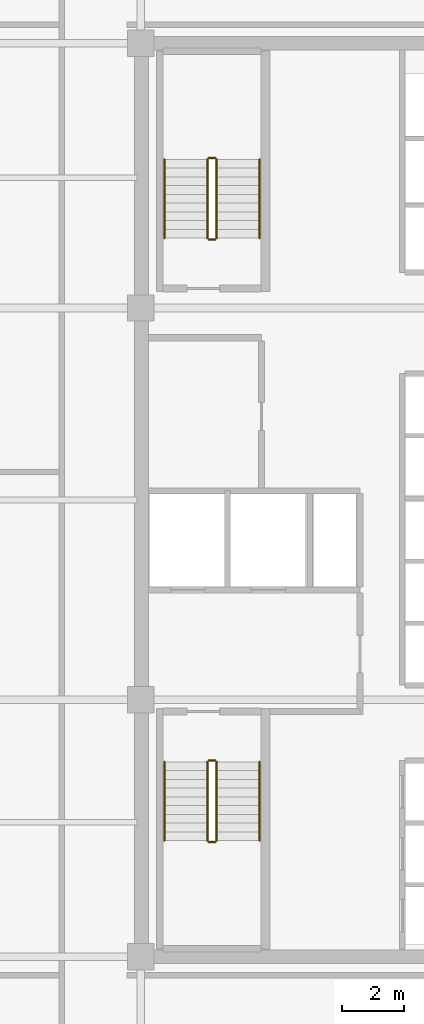
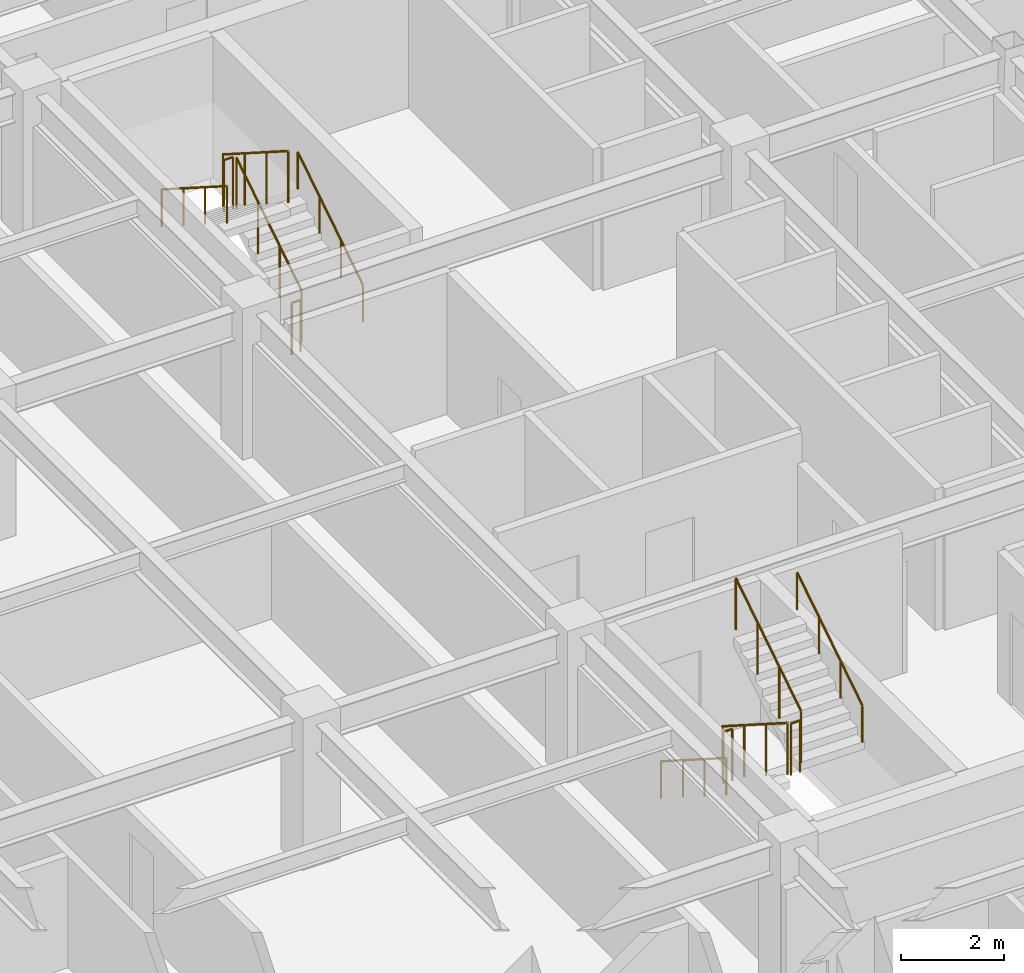
# One storey, part 13 of 13: 12 railings.
"""IFC4 building model written with IfcOpenShell, lengths in metres."""

from ifc_helpers import new_model, si_unit, direction, frame, origin, origin_2d, place, context, subcontext, project, spatial, circle, extrude, material, type_object, element, save


model = new_model("IFC4")

# Units and contexts
model_context = context("Model", 3, precision=1e-05, world=origin(), true_north=direction((0.0, 1.0)))
body_context = subcontext(model_context, "Body", "Model", "MODEL_VIEW")
ifc_project = project(units=[si_unit("LENGTHUNIT", "METRE"), si_unit("AREAUNIT", "SQUARE_METRE"), si_unit("VOLUMEUNIT", "CUBIC_METRE"), si_unit("PLANEANGLEUNIT", "RADIAN"), si_unit("MASSUNIT", "GRAM", prefix="KILO")], contexts=[model_context])

# Site, building, storey
site_placement = place(None, origin())
site = spatial("IfcSite", under=ifc_project, at=site_placement, CompositionType="ELEMENT")
building_placement = place(site_placement, origin())
building = spatial("IfcBuilding", under=site, at=building_placement, Name="Ochreholt Gables", CompositionType="ELEMENT")
storey_placement = place(building_placement, frame((0.0, 0.0, 34.800048828125)))
storey = spatial("IfcBuildingStorey", under=building, at=storey_placement, Name="L08", CompositionType="ELEMENT", Elevation=34.800048828125)

# Railings
ifc_material_1 = material(Name="Painted Steel Stair Guardrail", Category="steel")
railing_type_1 = type_object("IfcRailingType", Name="RL-ST-GUARD", PredefinedType="GUARDRAIL", material=ifc_material_1)
railing_1_placement = place(storey_placement, frame((26.35009765625, 15.5400390625, 0.179931640625)))
element("IfcRailing", 1, at=railing_1_placement, inside=storey, type_object=railing_type_1, Name="L08 ST-1 stair guard 1", PredefinedType="GUARDRAIL", context=body_context, shape_type="SweptSolid", body=[
    extrude(circle(Radius=0.02392578125, at=origin_2d()), frame((0.0, 0.0, 1.22607421875), z_axis=(0.0, -0.842912820907, 0.538050161556), x_axis=(1.0, 0.0, 0.0)), (0.0, 0.0, 1.0), 3.010986328125),
    extrude(circle(Radius=0.02099609375, at=origin_2d()), origin(), (0.0, 0.0, 1.0), 1.201904296875),
    extrude(circle(Radius=0.02099609375, at=origin_2d()), frame((0.0, -0.845947265625, 0.5400390625)), (0.0, 0.0, 1.0), 1.201904296875),
    extrude(circle(Radius=0.02099609375, at=origin_2d()), frame((0.0, -1.692138671875, 1.080078125)), (0.0, 0.0, 1.0), 1.201904296875),
    extrude(circle(Radius=0.02099609375, at=origin_2d()), frame((0.0, -2.5380859375, 1.6201171875)), (0.0, 0.0, 1.0), 1.201904296875),
])
railing_2_placement = place(storey_placement, frame((26.39990234375, 12.951904296875, 1.800048828125)))
element("IfcRailing", 2, at=railing_2_placement, inside=storey, type_object=railing_type_1, Name="L08 ST-1 stair guard 2", PredefinedType="GUARDRAIL", context=body_context, shape_type="SweptSolid", body=[
    extrude(circle(Radius=0.02392578125, at=origin_2d()), frame((0.0, 0.0, 1.22607421875), z_axis=(1.0, 0.0, 0.0), x_axis=(0.0, 1.0, 0.0)), (0.0, 0.0, 1.0), 0.2001953125),
    extrude(circle(Radius=0.02099609375, at=origin_2d()), origin(), (0.0, 0.0, 1.0), 1.201904296875),
    extrude(circle(Radius=0.02099609375, at=origin_2d()), frame((0.2001953125, 0.0, 0.0)), (0.0, 0.0, 1.0), 1.201904296875),
])
railing_3_placement = place(storey_placement, frame((26.64990234375, 13.001953125, 1.97998046875)))
element("IfcRailing", 3, at=railing_3_placement, inside=storey, type_object=railing_type_1, Name="L08 ST-1 stair guard 3", PredefinedType="GUARDRAIL", context=body_context, shape_type="SweptSolid", body=[
    extrude(circle(Radius=0.02392578125, at=origin_2d()), frame((0.0, 0.0, 1.22607421875), z_axis=(0.0, 0.842949592929, 0.537992549931), x_axis=(-1.0, 0.0, 0.0)), (0.0, 0.0, 1.0), 3.010986328125),
    extrude(circle(Radius=0.02099609375, at=origin_2d()), origin(), (0.0, 0.0, 1.0), 1.201904296875),
    extrude(circle(Radius=0.02099609375, at=origin_2d()), frame((0.0, 0.845947265625, 0.5400390625)), (0.0, 0.0, 1.0), 1.201904296875),
    extrude(circle(Radius=0.02099609375, at=origin_2d()), frame((0.0, 1.692138671875, 1.079833984375)), (0.0, 0.0, 1.0), 1.201904296875),
    extrude(circle(Radius=0.02099609375, at=origin_2d()), frame((0.0, 2.5380859375, 1.619873046875)), (0.0, 0.0, 1.0), 1.201904296875),
])
railing_4_placement = place(storey_placement, frame((26.39990234375, 15.590087890625, 0.0)))
element("IfcRailing", 4, at=railing_4_placement, inside=storey, type_object=railing_type_1, Name="L08 ST-1 stair guard 4", PredefinedType="GUARDRAIL", context=body_context, shape_type="SweptSolid", body=[
    extrude(circle(Radius=0.02392578125, at=origin_2d()), frame((0.0, 0.0, 1.22607421875), z_axis=(1.0, 0.0, 0.0), x_axis=(0.0, 1.0, 0.0)), (0.0, 0.0, 1.0), 0.2001953125),
    extrude(circle(Radius=0.02099609375, at=origin_2d()), origin(), (0.0, 0.0, 1.0), 1.201904296875),
    extrude(circle(Radius=0.02099609375, at=origin_2d()), frame((0.2001953125, 0.0, 0.0)), (0.0, 0.0, 1.0), 1.201904296875),
])
railing_5_placement = place(storey_placement, frame((26.64990234375, 32.4599609375, 0.179931640625)))
element("IfcRailing", 5, at=railing_5_placement, inside=storey, type_object=railing_type_1, Name="L08 ST-2 stair guard 1", PredefinedType="GUARDRAIL", context=body_context, shape_type="SweptSolid", body=[
    extrude(circle(Radius=0.02392578125, at=origin_2d()), frame((0.0, 0.0, 1.22607421875), z_axis=(0.0, 0.842912820907, 0.538050161556), x_axis=(-1.0, 0.0, 0.0)), (0.0, 0.0, 1.0), 3.010986328125),
    extrude(circle(Radius=0.02099609375, at=origin_2d()), origin(), (0.0, 0.0, 1.0), 1.201904296875),
    extrude(circle(Radius=0.02099609375, at=origin_2d()), frame((0.0, 0.845947265625, 0.5400390625)), (0.0, 0.0, 1.0), 1.201904296875),
    extrude(circle(Radius=0.02099609375, at=origin_2d()), frame((0.0, 1.692138671875, 1.080078125)), (0.0, 0.0, 1.0), 1.201904296875),
    extrude(circle(Radius=0.02099609375, at=origin_2d()), frame((0.0, 2.5380859375, 1.6201171875)), (0.0, 0.0, 1.0), 1.201904296875),
])
railing_6_placement = place(storey_placement, frame((26.60009765625, 35.048095703125, 1.800048828125)))
element("IfcRailing", 6, at=railing_6_placement, inside=storey, type_object=railing_type_1, Name="L08 ST-2 stair guard 2", PredefinedType="GUARDRAIL", context=body_context, shape_type="SweptSolid", body=[
    extrude(circle(Radius=0.02392578125, at=origin_2d()), frame((0.0, 0.0, 1.22607421875), z_axis=(-1.0, 0.0, 0.0), x_axis=(0.0, -1.0, 0.0)), (0.0, 0.0, 1.0), 0.2001953125),
    extrude(circle(Radius=0.02099609375, at=origin_2d()), origin(), (0.0, 0.0, 1.0), 1.201904296875),
    extrude(circle(Radius=0.02099609375, at=origin_2d()), frame((-0.2001953125, 0.0, 0.0)), (0.0, 0.0, 1.0), 1.201904296875),
])
railing_7_placement = place(storey_placement, frame((26.35009765625, 34.998046875, 1.97998046875)))
element("IfcRailing", 7, at=railing_7_placement, inside=storey, type_object=railing_type_1, Name="L08 ST-2 stair guard 3", PredefinedType="GUARDRAIL", context=body_context, shape_type="SweptSolid", body=[
    extrude(circle(Radius=0.02392578125, at=origin_2d()), frame((0.0, 0.0, 1.22607421875), z_axis=(0.0, -0.842949592929, 0.537992549931), x_axis=(1.0, 0.0, 0.0)), (0.0, 0.0, 1.0), 3.010986328125),
    extrude(circle(Radius=0.02099609375, at=origin_2d()), origin(), (0.0, 0.0, 1.0), 1.201904296875),
    extrude(circle(Radius=0.02099609375, at=origin_2d()), frame((0.0, -0.845947265625, 0.5400390625)), (0.0, 0.0, 1.0), 1.201904296875),
    extrude(circle(Radius=0.02099609375, at=origin_2d()), frame((0.0, -1.692138671875, 1.079833984375)), (0.0, 0.0, 1.0), 1.201904296875),
    extrude(circle(Radius=0.02099609375, at=origin_2d()), frame((0.0, -2.5380859375, 1.619873046875)), (0.0, 0.0, 1.0), 1.201904296875),
])
railing_8_placement = place(storey_placement, frame((26.60009765625, 32.409912109375, 0.0)))
element("IfcRailing", 8, at=railing_8_placement, inside=storey, type_object=railing_type_1, Name="L08 ST-2 stair guard 4", PredefinedType="GUARDRAIL", context=body_context, shape_type="SweptSolid", body=[
    extrude(circle(Radius=0.02392578125, at=origin_2d()), frame((0.0, 0.0, 1.22607421875), z_axis=(-1.0, 0.0, 0.0), x_axis=(0.0, -1.0, 0.0)), (0.0, 0.0, 1.0), 0.2001953125),
    extrude(circle(Radius=0.02099609375, at=origin_2d()), origin(), (0.0, 0.0, 1.0), 1.201904296875),
    extrude(circle(Radius=0.02099609375, at=origin_2d()), frame((-0.2001953125, 0.0, 0.0)), (0.0, 0.0, 1.0), 1.201904296875),
])
ifc_material_2 = material(Name="Brushed Stainless Steel Wall Handrail", Category="steel")
railing_type_2 = type_object("IfcRailingType", Name="RL-ST-HAND", PredefinedType="HANDRAIL", material=ifc_material_2)
railing_9_placement = place(storey_placement, frame((24.969970703125, 15.5400390625, 0.179931640625)))
element("IfcRailing", 9, at=railing_9_placement, inside=storey, type_object=railing_type_2, Name="L08 ST-1 stair handrail 1", PredefinedType="HANDRAIL", context=body_context, shape_type="SweptSolid", body=[
    extrude(circle(Radius=0.02392578125, at=origin_2d()), frame((0.0, 0.0, 0.8759765625), z_axis=(0.0, -0.842912820907, 0.538050161556), x_axis=(1.0, 0.0, 0.0)), (0.0, 0.0, 1.0), 3.010986328125),
    extrude(circle(Radius=0.02099609375, at=origin_2d()), origin(), (0.0, 0.0, 1.0), 0.851806640625),
    extrude(circle(Radius=0.02099609375, at=origin_2d()), frame((0.0, -0.845947265625, 0.5400390625)), (0.0, 0.0, 1.0), 0.851806640625),
    extrude(circle(Radius=0.02099609375, at=origin_2d()), frame((0.0, -1.692138671875, 1.080078125)), (0.0, 0.0, 1.0), 0.851806640625),
    extrude(circle(Radius=0.02099609375, at=origin_2d()), frame((0.0, -2.5380859375, 1.6201171875)), (0.0, 0.0, 1.0), 0.851806640625),
])
railing_10_placement = place(storey_placement, frame((28.030029296875, 13.001953125, 1.97998046875)))
element("IfcRailing", 10, at=railing_10_placement, inside=storey, type_object=railing_type_2, Name="L08 ST-1 stair handrail 2", PredefinedType="HANDRAIL", context=body_context, shape_type="SweptSolid", body=[
    extrude(circle(Radius=0.02392578125, at=origin_2d()), frame((0.0, 0.0, 0.8759765625), z_axis=(0.0, 0.842949592929, 0.537992549931), x_axis=(-1.0, 0.0, 0.0)), (0.0, 0.0, 1.0), 3.010986328125),
    extrude(circle(Radius=0.02099609375, at=origin_2d()), origin(), (0.0, 0.0, 1.0), 0.851806640625),
    extrude(circle(Radius=0.02099609375, at=origin_2d()), frame((0.0, 0.845947265625, 0.5400390625)), (0.0, 0.0, 1.0), 0.851806640625),
    extrude(circle(Radius=0.02099609375, at=origin_2d()), frame((0.0, 1.692138671875, 1.079833984375)), (0.0, 0.0, 1.0), 0.851806640625),
    extrude(circle(Radius=0.02099609375, at=origin_2d()), frame((0.0, 2.5380859375, 1.619873046875)), (0.0, 0.0, 1.0), 0.851806640625),
])
railing_11_placement = place(storey_placement, frame((28.030029296875, 32.4599609375, 0.179931640625)))
element("IfcRailing", 11, at=railing_11_placement, inside=storey, type_object=railing_type_2, Name="L08 ST-2 stair handrail 1", PredefinedType="HANDRAIL", context=body_context, shape_type="SweptSolid", body=[
    extrude(circle(Radius=0.02392578125, at=origin_2d()), frame((0.0, 0.0, 0.8759765625), z_axis=(0.0, 0.842912820907, 0.538050161556), x_axis=(-1.0, 0.0, 0.0)), (0.0, 0.0, 1.0), 3.010986328125),
    extrude(circle(Radius=0.02099609375, at=origin_2d()), origin(), (0.0, 0.0, 1.0), 0.851806640625),
    extrude(circle(Radius=0.02099609375, at=origin_2d()), frame((0.0, 0.845947265625, 0.5400390625)), (0.0, 0.0, 1.0), 0.851806640625),
    extrude(circle(Radius=0.02099609375, at=origin_2d()), frame((0.0, 1.692138671875, 1.080078125)), (0.0, 0.0, 1.0), 0.851806640625),
    extrude(circle(Radius=0.02099609375, at=origin_2d()), frame((0.0, 2.5380859375, 1.6201171875)), (0.0, 0.0, 1.0), 0.851806640625),
])
railing_12_placement = place(storey_placement, frame((24.969970703125, 34.998046875, 1.97998046875)))
element("IfcRailing", 12, at=railing_12_placement, inside=storey, type_object=railing_type_2, Name="L08 ST-2 stair handrail 2", PredefinedType="HANDRAIL", context=body_context, shape_type="SweptSolid", body=[
    extrude(circle(Radius=0.02392578125, at=origin_2d()), frame((0.0, 0.0, 0.8759765625), z_axis=(0.0, -0.842949592929, 0.537992549931), x_axis=(1.0, 0.0, 0.0)), (0.0, 0.0, 1.0), 3.010986328125),
    extrude(circle(Radius=0.02099609375, at=origin_2d()), origin(), (0.0, 0.0, 1.0), 0.851806640625),
    extrude(circle(Radius=0.02099609375, at=origin_2d()), frame((0.0, -0.845947265625, 0.5400390625)), (0.0, 0.0, 1.0), 0.851806640625),
    extrude(circle(Radius=0.02099609375, at=origin_2d()), frame((0.0, -1.692138671875, 1.079833984375)), (0.0, 0.0, 1.0), 0.851806640625),
    extrude(circle(Radius=0.02099609375, at=origin_2d()), frame((0.0, -2.5380859375, 1.619873046875)), (0.0, 0.0, 1.0), 0.851806640625),
])

save(model, "model.ifc")
